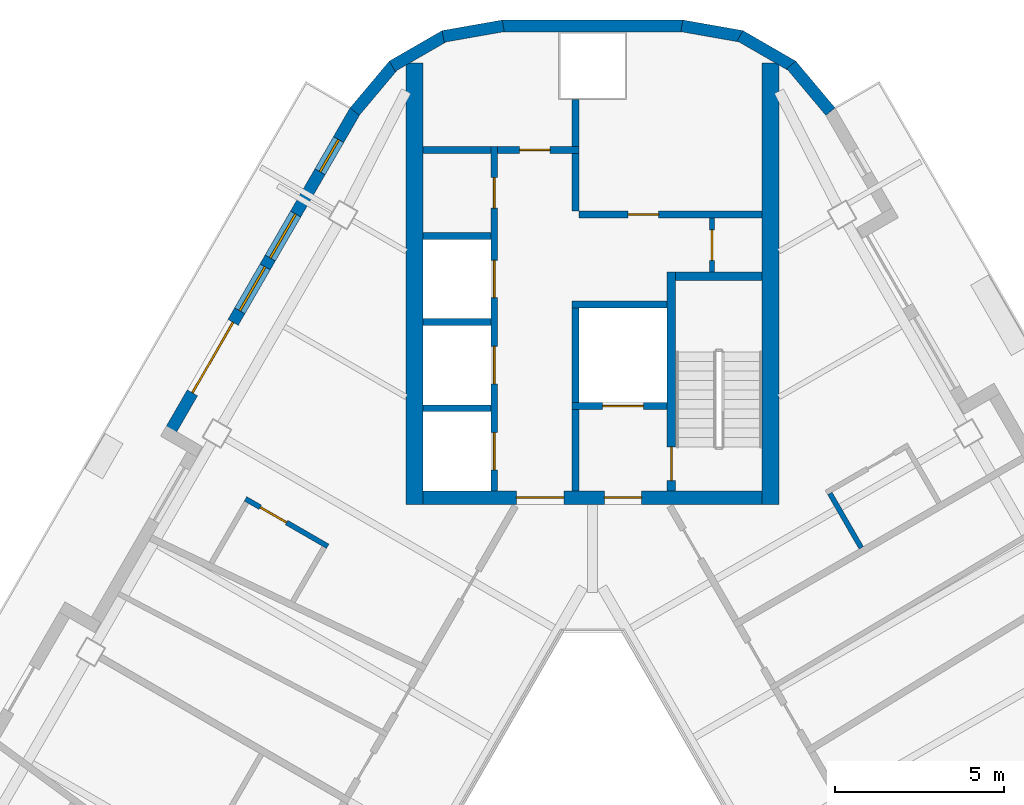
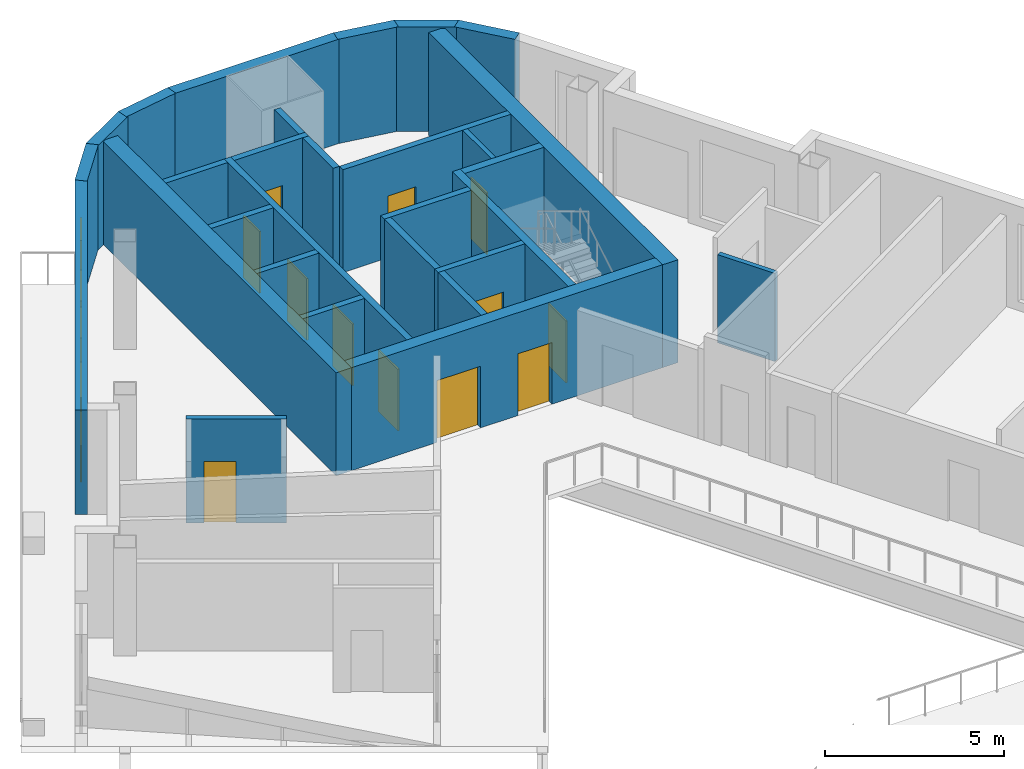
# One storey, part 7 of 13: 29 walls, 13 doors, 3 windows, 16 openings.
"""IFC4 building model written with IfcOpenShell, lengths in metres."""

from ifc_helpers import new_model, si_unit, direction, frame, frame_2d, origin, place, context, subcontext, project, spatial, rectangle, extrude, material, layer, layer_set, type_object, element, fill, save


model = new_model("IFC4")

# Units and contexts
model_context = context("Model", 3, precision=1e-05, world=origin(), true_north=direction((0.0, 1.0)))
body_context = subcontext(model_context, "Body", "Model", "MODEL_VIEW")
ifc_project = project(units=[si_unit("LENGTHUNIT", "METRE"), si_unit("AREAUNIT", "SQUARE_METRE"), si_unit("VOLUMEUNIT", "CUBIC_METRE"), si_unit("PLANEANGLEUNIT", "RADIAN"), si_unit("MASSUNIT", "GRAM", prefix="KILO")], contexts=[model_context])

# Site, building, storey
site_placement = place(None, origin())
site = spatial("IfcSite", under=ifc_project, at=site_placement, CompositionType="ELEMENT")
building_placement = place(site_placement, origin())
building = spatial("IfcBuilding", under=site, at=building_placement, Name="Apuvela Tower Hotel", CompositionType="ELEMENT")
storey_placement = place(building_placement, frame((0.0, 0.0, 272.60009765625)))
storey = spatial("IfcBuildingStorey", under=building, at=storey_placement, Name="L67", CompositionType="ELEMENT", Elevation=272.60009765625)

# Wall, openings, doors
ifc_material_1 = material(Name="Concrete C50/60", Category="concrete")
ifc_layer_1 = layer(ifc_material_1, 0.39990234375)
ifc_layer_set_1 = layer_set([ifc_layer_1], Name="COR-WALL-CORE-400")
wall_type_1 = type_object("IfcWallType", Name="COR-WALL-CORE-400", PredefinedType="SHEAR", material=ifc_layer_set_1)
wall_1_placement = place(storey_placement, frame((5.0, 13.10009765625, 0.0), z_axis=(0.0, 0.0, 1.0), x_axis=(-1.0, 0.0, 0.0)))
wall_1 = element("IfcWall", 1, at=wall_1_placement, inside=storey, type_object=wall_type_1, Name="Core wall N", PredefinedType="SHEAR", context=body_context, shape_type="SweptSolid", body=[
    extrude(rectangle(XDim=10.0, YDim=0.39990234375, at=frame_2d((5.0, 0.0))), origin(), (0.0, 0.0, 1.0), 3.5),
])
opening_1_placement = place(wall_1_placement, frame((3.550048828125, 0.0, 0.0)))
opening_1 = element("IfcOpeningElement", 2, at=opening_1_placement, cuts=wall_1, Name="Opening N-FD", PredefinedType="OPENING", context=body_context, shape_type="SweptSolid", body=[
    extrude(rectangle(XDim=1.10009765625, YDim=2.10009765625, at=frame_2d((0.550048828125, 1.050048828125))), frame((0.0, 0.2099609375, 0.0), z_axis=(0.0, -1.0, 0.0), x_axis=(1.0, 0.0, 0.0)), (0.0, 0.0, 1.0), 0.419921875),
])
opening_2_placement = place(wall_1_placement, frame((5.85009765625, 0.0, 0.0)))
opening_2 = element("IfcOpeningElement", 3, at=opening_2_placement, cuts=wall_1, Name="Opening N-GD", PredefinedType="OPENING", context=body_context, shape_type="SweptSolid", body=[
    extrude(rectangle(XDim=1.39990234375, YDim=2.10009765625, at=frame_2d((0.699951171875, 1.050048828125))), frame((0.0, 0.2099609375, 0.0), z_axis=(0.0, -1.0, 0.0), x_axis=(1.0, 0.0, 0.0)), (0.0, 0.0, 1.0), 0.419921875),
])
ifc_material_2 = material(Name="Steel fire door, powder coated", Category="steel")
door_type_1 = type_object("IfcDoorType", Name="COR-FD-1100", OperationType="NOTDEFINED", PredefinedType="DOOR", material=ifc_material_2)
door_1_placement = place(opening_1_placement, frame((1.10009765625, 0.0, 0.0), z_axis=(0.0, 0.0, 1.0), x_axis=(-1.0, 0.0, 0.0)))
door_1 = element("IfcDoor", 4, at=door_1_placement, inside=storey, type_object=door_type_1, Name="Firefighting lobby door N-FD", OperationType="SINGLE_SWING_LEFT", OverallHeight=2.10009765625, OverallWidth=1.10009765625, PredefinedType="DOOR", context=body_context, shape_type="SweptSolid", body=[
    extrude(rectangle(XDim=1.10009765625, YDim=2.10009765625, at=frame_2d((0.550048828125, 1.050048828125))), frame((0.0, 0.02490234375, 0.0), z_axis=(0.0, -1.0, 0.0), x_axis=(1.0, 0.0, 0.0)), (0.0, 0.0, 1.0), 0.050048828125),
])
fill(opening_1, door_1)
ifc_material_3 = material(Name="Glazed steel fire door", Category="steel")
door_type_2 = type_object("IfcDoorType", Name="COR-GD-1400", OperationType="DOUBLE_DOOR_SINGLE_SWING", PredefinedType="DOOR", material=ifc_material_3)
door_2_placement = place(opening_2_placement, frame((1.39990234375, 0.0, 0.0), z_axis=(0.0, 0.0, 1.0), x_axis=(-1.0, 0.0, 0.0)))
door_2 = element("IfcDoor", 5, at=door_2_placement, inside=storey, type_object=door_type_2, Name="Lift lobby door N-GD", OperationType="DOUBLE_DOOR_SINGLE_SWING", OverallHeight=2.10009765625, OverallWidth=1.39990234375, PredefinedType="DOOR", context=body_context, shape_type="SweptSolid", body=[
    extrude(rectangle(XDim=1.39990234375, YDim=2.10009765625, at=frame_2d((0.699951171875, 1.050048828125))), frame((0.0, 0.02490234375, 0.0), z_axis=(0.0, -1.0, 0.0), x_axis=(1.0, 0.0, 0.0)), (0.0, 0.0, 1.0), 0.050048828125),
])
fill(opening_2, door_2)

# Walls
ifc_layer_2 = layer(ifc_material_1, 0.5)
ifc_layer_set_2 = layer_set([ifc_layer_2], Name="COR-WALL-CORE-500")
wall_type_2 = type_object("IfcWallType", Name="COR-WALL-CORE-500", PredefinedType="SHEAR", material=ifc_layer_set_2)
for number, where, z_axis, x_axis, name in (
    (6, (5.25, 12.89990234375, 0.0), (0.0, 0.0, 1.0), (0.0, 1.0, 0.0), "Core wall N"),
    (7, (-5.25, 12.89990234375, 0.0), (0.0, 0.0, 1.0), (0.0, 1.0, 0.0), "Core wall N"),
):
    element("IfcWall", number, at=place(storey_placement, frame(where, z_axis=z_axis, x_axis=x_axis)), inside=storey, type_object=wall_type_2, Name=name, PredefinedType="SHEAR", context=body_context, shape_type="SweptSolid", body=[
        extrude(rectangle(XDim=13.031494140625, YDim=0.5, at=frame_2d((6.515625, 0.0))), origin(), (0.0, 0.0, 1.0), 3.5),
    ])

# Wall, opening, door
ifc_material_4 = material(Name="Blockwork 150 mm plastered", Category="masonry")
ifc_layer_3 = layer(ifc_material_4, 0.14990234375)
ifc_layer_set_3 = layer_set([ifc_layer_3], Name="COR-WALL-PART-150")
wall_type_3 = type_object("IfcWallType", Name="COR-WALL-PART-150", PredefinedType="PARTITIONING", material=ifc_layer_set_3)
wall_2_placement = place(storey_placement, frame((3.52490234375, 19.75, 0.0), z_axis=(0.0, 0.0, 1.0), x_axis=(0.0, 1.0, 0.0)))
wall_2 = element("IfcWall", 8, at=wall_2_placement, inside=storey, type_object=wall_type_3, Name="Partition N", PredefinedType="PARTITIONING", context=body_context, shape_type="SweptSolid", body=[
    extrude(rectangle(XDim=1.60009765625, YDim=0.14990234375, at=frame_2d((0.800048828125, 0.0))), origin(), (0.0, 0.0, 1.0), 3.5),
])
opening_3_placement = place(wall_2_placement, frame((0.35009765625, 0.0, 0.0)))
opening_3 = element("IfcOpeningElement", 9, at=opening_3_placement, cuts=wall_2, Name="Opening N-RD", PredefinedType="OPENING", context=body_context, shape_type="SweptSolid", body=[
    extrude(rectangle(XDim=0.89990234375, YDim=2.10009765625, at=frame_2d((0.449951171875, 1.050048828125))), frame((0.0, 0.0849609375, 0.0), z_axis=(0.0, -1.0, 0.0), x_axis=(1.0, 0.0, 0.0)), (0.0, 0.0, 1.0), 0.169921875),
])
ifc_material_5 = material(Name="Steel access door, powder coated", Category="steel")
door_type_3 = type_object("IfcDoorType", Name="COR-RD-900", OperationType="NOTDEFINED", PredefinedType="DOOR", material=ifc_material_5)
door_3_placement = place(opening_3_placement, frame((0.89990234375, 0.0, 0.0), z_axis=(0.0, 0.0, 1.0), x_axis=(-1.0, 0.0, 0.0)))
door_3 = element("IfcDoor", 10, at=door_3_placement, inside=storey, type_object=door_type_3, Name="Riser door N-RD", OperationType="SINGLE_SWING_RIGHT", OverallHeight=2.10009765625, OverallWidth=0.89990234375, PredefinedType="DOOR", context=body_context, shape_type="SweptSolid", body=[
    extrude(rectangle(XDim=0.89990234375, YDim=2.10009765625, at=frame_2d((0.449951171875, 1.050048828125))), frame((0.0, 0.02490234375, 0.0), z_axis=(0.0, -1.0, 0.0), x_axis=(1.0, 0.0, 0.0)), (0.0, 0.0, 1.0), 0.050048828125),
])
fill(opening_3, door_3)

ifc_material_6 = material(Name="Blockwork 200 mm plastered", Category="masonry")
ifc_layer_4 = layer(ifc_material_6, 0.199951171875)
ifc_layer_set_4 = layer_set([ifc_layer_4], Name="COR-WALL-PART-200")
wall_type_4 = type_object("IfcWallType", Name="COR-WALL-PART-200", PredefinedType="PARTITIONING", material=ifc_layer_set_4)
wall_3_placement = place(storey_placement, frame((5.0, 21.449951171875, 0.0), z_axis=(0.0, 0.0, 1.0), x_axis=(-1.0, 0.0, 0.0)))
wall_3 = element("IfcWall", 11, at=wall_3_placement, inside=storey, type_object=wall_type_4, Name="Partition N", PredefinedType="PARTITIONING", context=body_context, shape_type="SweptSolid", body=[
    extrude(rectangle(XDim=5.39990234375, YDim=0.199951171875, at=frame_2d((2.699951171875, 0.0))), origin(), (0.0, 0.0, 1.0), 3.5),
])
opening_4_placement = place(wall_3_placement, frame((3.050048828125, 0.0, 0.0)))
opening_4 = element("IfcOpeningElement", 12, at=opening_4_placement, cuts=wall_3, Name="Opening N-RS1", PredefinedType="OPENING", context=body_context, shape_type="SweptSolid", body=[
    extrude(rectangle(XDim=0.89990234375, YDim=2.10009765625, at=frame_2d((0.449951171875, 1.050048828125))), frame((0.0, 0.10986328125, 0.0), z_axis=(0.0, -1.0, 0.0), x_axis=(1.0, 0.0, 0.0)), (0.0, 0.0, 1.0), 0.219970703125),
])
door_type_4 = type_object("IfcDoorType", Name="COR-DR-900", OperationType="NOTDEFINED", PredefinedType="DOOR", material=ifc_material_2)
door_4_placement = place(opening_4_placement, frame((0.89990234375, 0.0, 0.0), z_axis=(0.0, 0.0, 1.0), x_axis=(-1.0, 0.0, 0.0)))
door_4 = element("IfcDoor", 13, at=door_4_placement, inside=storey, type_object=door_type_4, Name="Store door N-RS1", OperationType="SINGLE_SWING_LEFT", OverallHeight=2.10009765625, OverallWidth=0.89990234375, PredefinedType="DOOR", context=body_context, shape_type="SweptSolid", body=[
    extrude(rectangle(XDim=0.89990234375, YDim=2.10009765625, at=frame_2d((0.449951171875, 1.050048828125))), frame((0.0, 0.02490234375, 0.0), z_axis=(0.0, -1.0, 0.0), x_axis=(1.0, 0.0, 0.0)), (0.0, 0.0, 1.0), 0.050048828125),
])
fill(opening_4, door_4)

# Wall
ifc_layer_5 = layer(ifc_material_1, 0.199951171875)
ifc_layer_set_5 = layer_set([ifc_layer_5], Name="COR-WALL-SHAFT-200")
wall_type_5 = type_object("IfcWallType", Name="COR-WALL-SHAFT-200", PredefinedType="SHEAR", material=ifc_layer_set_5)
wall_4_placement = place(storey_placement, frame((2.199951171875, 18.800048828125, 0.0), z_axis=(0.0, 0.0, 1.0), x_axis=(-1.0, 0.0, 0.0)))
element("IfcWall", 14, at=wall_4_placement, inside=storey, type_object=wall_type_5, Name="Shaft wall N", PredefinedType="SHEAR", context=body_context, shape_type="SweptSolid", body=[
    extrude(rectangle(XDim=2.800048828125, YDim=0.199951171875, at=frame_2d((1.39990234375, 0.0))), origin(), (0.0, 0.0, 1.0), 3.5),
])

# Wall, opening, door
wall_5_placement = place(storey_placement, frame((2.199951171875, 15.800048828125, 0.0), z_axis=(0.0, 0.0, 1.0), x_axis=(-1.0, 0.0, 0.0)))
wall_5 = element("IfcWall", 15, at=wall_5_placement, inside=storey, type_object=wall_type_5, Name="Shaft wall N", PredefinedType="SHEAR", context=body_context, shape_type="SweptSolid", body=[
    extrude(rectangle(XDim=2.800048828125, YDim=0.199951171875, at=frame_2d((1.39990234375, 0.0))), origin(), (0.0, 0.0, 1.0), 3.5),
])
opening_5_placement = place(wall_5_placement, frame((0.699951171875, 0.0, 0.0)))
opening_5 = element("IfcOpeningElement", 16, at=opening_5_placement, cuts=wall_5, Name="Opening N-LD-FS1", PredefinedType="OPENING", context=body_context, shape_type="SweptSolid", body=[
    extrude(rectangle(XDim=1.199951171875, YDim=2.10009765625, at=frame_2d((0.60009765625, 1.050048828125))), frame((0.0, 0.10986328125, 0.0), z_axis=(0.0, -1.0, 0.0), x_axis=(1.0, 0.0, 0.0)), (0.0, 0.0, 1.0), 0.219970703125),
])
ifc_material_7 = material(Name="Stainless steel lift landing door", Category="steel")
door_type_5 = type_object("IfcDoorType", Name="COR-LD-1200", OperationType="DOUBLE_DOOR_SLIDING", PredefinedType="DOOR", material=ifc_material_7)
door_5_placement = place(opening_5_placement, origin())
door_5 = element("IfcDoor", 17, at=door_5_placement, inside=storey, type_object=door_type_5, Name="Lift landing door N-LD-FS1", OperationType="DOUBLE_DOOR_SLIDING", OverallHeight=2.10009765625, OverallWidth=1.199951171875, PredefinedType="DOOR", context=body_context, shape_type="SweptSolid", body=[
    extrude(rectangle(XDim=1.199951171875, YDim=2.10009765625, at=frame_2d((0.60009765625, 1.050048828125))), frame((0.0, 0.02490234375, 0.0), z_axis=(0.0, -1.0, 0.0), x_axis=(1.0, 0.0, 0.0)), (0.0, 0.0, 1.0), 0.050048828125),
])
fill(opening_5, door_5)

# Walls
wall_6_placement = place(storey_placement, frame((-0.5, 15.89990234375, 0.0), z_axis=(0.0, 0.0, 1.0), x_axis=(0.0, 1.0, 0.0)))
element("IfcWall", 18, at=wall_6_placement, inside=storey, type_object=wall_type_5, Name="Shaft wall N", PredefinedType="SHEAR", context=body_context, shape_type="SweptSolid", body=[
    extrude(rectangle(XDim=2.800048828125, YDim=0.199951171875, at=frame_2d((1.39990234375, 0.0))), origin(), (0.0, 0.0, 1.0), 3.5),
])
wall_7_placement = place(storey_placement, frame((-0.5, 13.300048828125, 0.0), z_axis=(0.0, 0.0, 1.0), x_axis=(0.0, 1.0, 0.0)))
element("IfcWall", 19, at=wall_7_placement, inside=storey, type_object=wall_type_5, Name="Shaft wall N", PredefinedType="SHEAR", context=body_context, shape_type="SweptSolid", body=[
    extrude(rectangle(XDim=2.39990234375, YDim=0.199951171875, at=frame_2d((1.199951171875, 0.0))), origin(), (0.0, 0.0, 1.0), 3.5),
])

# Wall, openings, doors
wall_8_placement = place(storey_placement, frame((-2.89990234375, 13.300048828125, 0.0), z_axis=(0.0, 0.0, 1.0), x_axis=(0.0, 1.0, 0.0)))
wall_8 = element("IfcWall", 20, at=wall_8_placement, inside=storey, type_object=wall_type_5, Name="Shaft wall N", PredefinedType="SHEAR", context=body_context, shape_type="SweptSolid", body=[
    extrude(rectangle(XDim=10.159912109375, YDim=0.199951171875, at=frame_2d((5.080078125, 0.0))), origin(), (0.0, 0.0, 1.0), 3.5),
])
opening_6_placement = place(wall_8_placement, frame((0.6201171875, 0.0, 0.0)))
opening_6 = element("IfcOpeningElement", 21, at=opening_6_placement, cuts=wall_8, Name="Opening N-LD-HR1", PredefinedType="OPENING", context=body_context, shape_type="SweptSolid", body=[
    extrude(rectangle(XDim=1.10009765625, YDim=2.10009765625, at=frame_2d((0.550048828125, 1.050048828125))), frame((0.0, 0.10986328125, 0.0), z_axis=(0.0, -1.0, 0.0), x_axis=(1.0, 0.0, 0.0)), (0.0, 0.0, 1.0), 0.219970703125),
])
opening_7_placement = place(wall_8_placement, frame((3.159912109375, 0.0, 0.0)))
opening_7 = element("IfcOpeningElement", 22, at=opening_7_placement, cuts=wall_8, Name="Opening N-LD-HR2", PredefinedType="OPENING", context=body_context, shape_type="SweptSolid", body=[
    extrude(rectangle(XDim=1.10009765625, YDim=2.10009765625, at=frame_2d((0.550048828125, 1.050048828125))), frame((0.0, 0.10986328125, 0.0), z_axis=(0.0, -1.0, 0.0), x_axis=(1.0, 0.0, 0.0)), (0.0, 0.0, 1.0), 0.219970703125),
])
opening_8_placement = place(wall_8_placement, frame((5.699951171875, 0.0, 0.0)))
opening_8 = element("IfcOpeningElement", 23, at=opening_8_placement, cuts=wall_8, Name="Opening N-LD-HR4", PredefinedType="OPENING", context=body_context, shape_type="SweptSolid", body=[
    extrude(rectangle(XDim=1.10009765625, YDim=2.10009765625, at=frame_2d((0.550048828125, 1.050048828125))), frame((0.0, 0.10986328125, 0.0), z_axis=(0.0, -1.0, 0.0), x_axis=(1.0, 0.0, 0.0)), (0.0, 0.0, 1.0), 0.219970703125),
])
opening_9_placement = place(wall_8_placement, frame((8.340087890625, 0.0, 0.0)))
opening_9 = element("IfcOpeningElement", 24, at=opening_9_placement, cuts=wall_8, Name="Opening N-RE4", PredefinedType="OPENING", context=body_context, shape_type="SweptSolid", body=[
    extrude(rectangle(XDim=0.89990234375, YDim=2.10009765625, at=frame_2d((0.449951171875, 1.050048828125))), frame((0.0, 0.10986328125, 0.0), z_axis=(0.0, -1.0, 0.0), x_axis=(1.0, 0.0, 0.0)), (0.0, 0.0, 1.0), 0.219970703125),
])
door_6_placement = place(opening_9_placement, origin())
door_6 = element("IfcDoor", 25, at=door_6_placement, inside=storey, type_object=door_type_4, Name="Store door N-RE4", OperationType="SINGLE_SWING_LEFT", OverallHeight=2.10009765625, OverallWidth=0.89990234375, PredefinedType="DOOR", context=body_context, shape_type="SweptSolid", body=[
    extrude(rectangle(XDim=0.89990234375, YDim=2.10009765625, at=frame_2d((0.449951171875, 1.050048828125))), frame((0.0, 0.02490234375, 0.0), z_axis=(0.0, -1.0, 0.0), x_axis=(1.0, 0.0, 0.0)), (0.0, 0.0, 1.0), 0.050048828125),
])
fill(opening_9, door_6)
door_type_6 = type_object("IfcDoorType", Name="COR-LD-1100", OperationType="DOUBLE_DOOR_SLIDING", PredefinedType="DOOR", material=ifc_material_7)
door_7_placement = place(opening_6_placement, origin())
door_7 = element("IfcDoor", 26, at=door_7_placement, inside=storey, type_object=door_type_6, Name="Lift landing door N-LD-HR1", OperationType="DOUBLE_DOOR_SLIDING", OverallHeight=2.10009765625, OverallWidth=1.10009765625, PredefinedType="DOOR", context=body_context, shape_type="SweptSolid", body=[
    extrude(rectangle(XDim=1.10009765625, YDim=2.10009765625, at=frame_2d((0.550048828125, 1.050048828125))), frame((0.0, 0.02490234375, 0.0), z_axis=(0.0, -1.0, 0.0), x_axis=(1.0, 0.0, 0.0)), (0.0, 0.0, 1.0), 0.050048828125),
])
fill(opening_6, door_7)
door_8_placement = place(opening_7_placement, origin())
door_8 = element("IfcDoor", 27, at=door_8_placement, inside=storey, type_object=door_type_6, Name="Lift landing door N-LD-HR2", OperationType="DOUBLE_DOOR_SLIDING", OverallHeight=2.10009765625, OverallWidth=1.10009765625, PredefinedType="DOOR", context=body_context, shape_type="SweptSolid", body=[
    extrude(rectangle(XDim=1.10009765625, YDim=2.10009765625, at=frame_2d((0.550048828125, 1.050048828125))), frame((0.0, 0.02490234375, 0.0), z_axis=(0.0, -1.0, 0.0), x_axis=(1.0, 0.0, 0.0)), (0.0, 0.0, 1.0), 0.050048828125),
])
fill(opening_7, door_8)
door_9_placement = place(opening_8_placement, origin())
door_9 = element("IfcDoor", 28, at=door_9_placement, inside=storey, type_object=door_type_6, Name="Lift landing door N-LD-HR4", OperationType="DOUBLE_DOOR_SLIDING", OverallHeight=2.10009765625, OverallWidth=1.10009765625, PredefinedType="DOOR", context=body_context, shape_type="SweptSolid", body=[
    extrude(rectangle(XDim=1.10009765625, YDim=2.10009765625, at=frame_2d((0.550048828125, 1.050048828125))), frame((0.0, 0.02490234375, 0.0), z_axis=(0.0, -1.0, 0.0), x_axis=(1.0, 0.0, 0.0)), (0.0, 0.0, 1.0), 0.050048828125),
])
fill(opening_8, door_9)

# Wall, opening, door
wall_9_placement = place(storey_placement, frame((-0.39990234375, 23.360107421875, 0.0), z_axis=(0.0, 0.0, 1.0), x_axis=(-1.0, 0.0, 0.0)))
wall_9 = element("IfcWall", 29, at=wall_9_placement, inside=storey, type_object=wall_type_5, Name="Shaft wall N", PredefinedType="SHEAR", context=body_context, shape_type="SweptSolid", body=[
    extrude(rectangle(XDim=2.400146484375, YDim=0.199951171875, at=frame_2d((1.2001953125, 0.0))), origin(), (0.0, 0.0, 1.0), 3.5),
])
opening_10_placement = place(wall_9_placement, frame((0.85009765625, 0.0, 0.0)))
opening_10 = element("IfcOpeningElement", 30, at=opening_10_placement, cuts=wall_9, Name="Opening N-REP", PredefinedType="OPENING", context=body_context, shape_type="SweptSolid", body=[
    extrude(rectangle(XDim=0.89990234375, YDim=2.10009765625, at=frame_2d((0.449951171875, 1.050048828125))), frame((0.0, 0.10986328125, 0.0), z_axis=(0.0, -1.0, 0.0), x_axis=(1.0, 0.0, 0.0)), (0.0, 0.0, 1.0), 0.219970703125),
])
door_10_placement = place(opening_10_placement, frame((0.89990234375, 0.0, 0.0), z_axis=(0.0, 0.0, 1.0), x_axis=(-1.0, 0.0, 0.0)))
door_10 = element("IfcDoor", 31, at=door_10_placement, inside=storey, type_object=door_type_4, Name="Store door N-REP", OperationType="SINGLE_SWING_LEFT", OverallHeight=2.10009765625, OverallWidth=0.89990234375, PredefinedType="DOOR", context=body_context, shape_type="SweptSolid", body=[
    extrude(rectangle(XDim=0.89990234375, YDim=2.10009765625, at=frame_2d((0.449951171875, 1.050048828125))), frame((0.0, 0.02490234375, 0.0), z_axis=(0.0, -1.0, 0.0), x_axis=(1.0, 0.0, 0.0)), (0.0, 0.0, 1.0), 0.050048828125),
])
fill(opening_10, door_10)

# Walls
wall_10_placement = place(storey_placement, frame((-0.5, 21.550048828125, 0.0), z_axis=(0.0, 0.0, 1.0), x_axis=(0.0, 1.0, 0.0)))
element("IfcWall", 32, at=wall_10_placement, inside=storey, type_object=wall_type_5, Name="Shaft wall N", PredefinedType="SHEAR", context=body_context, shape_type="SweptSolid", body=[
    extrude(rectangle(XDim=1.7099609375, YDim=0.199951171875, at=frame_2d((0.85498046875, 0.0))), origin(), (0.0, 0.0, 1.0), 3.5),
])
for number, where, z_axis, x_axis, name in (
    (33, (-3.0, 15.739990234375, 0.0), (0.0, 0.0, 1.0), (-1.0, 0.0, 0.0), "Shaft wall N"),
    (34, (-3.0, 18.280029296875, 0.0), (0.0, 0.0, 1.0), (-1.0, 0.0, 0.0), "Shaft wall N"),
    (35, (-3.0, 20.820068359375, 0.0), (0.0, 0.0, 1.0), (-1.0, 0.0, 0.0), "Shaft wall N"),
    (36, (-3.0, 23.360107421875, 0.0), (0.0, 0.0, 1.0), (-1.0, 0.0, 0.0), "Shaft wall N"),
):
    element("IfcWall", number, at=place(storey_placement, frame(where, z_axis=z_axis, x_axis=x_axis)), inside=storey, type_object=wall_type_5, Name=name, PredefinedType="SHEAR", context=body_context, shape_type="SweptSolid", body=[
        extrude(rectangle(XDim=2.0, YDim=0.199951171875, at=frame_2d((1.0, 0.0))), origin(), (0.0, 0.0, 1.0), 3.5),
    ])
wall_11_placement = place(storey_placement, frame((-0.5, 23.4599609375, 0.0), z_axis=(0.0, 0.0, 1.0), x_axis=(0.0, 1.0, 0.0)))
element("IfcWall", 37, at=wall_11_placement, inside=storey, type_object=wall_type_5, Name="Shaft wall N", PredefinedType="SHEAR", context=body_context, shape_type="SweptSolid", body=[
    extrude(rectangle(XDim=1.382568359375, YDim=0.199951171875, at=frame_2d((0.69140625, 0.0))), origin(), (0.0, 0.0, 1.0), 3.5),
])

# Wall, opening, door
ifc_layer_6 = layer(ifc_material_1, 0.25)
ifc_layer_set_6 = layer_set([ifc_layer_6], Name="COR-WALL-STAIR-250")
wall_type_6 = type_object("IfcWallType", Name="COR-WALL-STAIR-250", PredefinedType="SHEAR", material=ifc_layer_set_6)
wall_12_placement = place(storey_placement, frame((2.324951171875, 13.300048828125, 0.0), z_axis=(0.0, 0.0, 1.0), x_axis=(0.0, 1.0, 0.0)))
wall_12 = element("IfcWall", 38, at=wall_12_placement, inside=storey, type_object=wall_type_6, Name="Stair wall N", PredefinedType="SHEAR", context=body_context, shape_type="SweptSolid", body=[
    extrude(rectangle(XDim=6.449951171875, YDim=0.25, at=frame_2d((3.22509765625, 0.0))), origin(), (0.0, 0.0, 1.0), 3.5),
])
opening_11_placement = place(wall_12_placement, frame((0.300048828125, 0.0, 0.0)))
opening_11 = element("IfcOpeningElement", 39, at=opening_11_placement, cuts=wall_12, Name="Opening N-SD", PredefinedType="OPENING", context=body_context, shape_type="SweptSolid", body=[
    extrude(rectangle(XDim=1.0, YDim=2.10009765625, at=frame_2d((0.5, 1.050048828125))), frame((0.0, 0.135009765625, 0.0), z_axis=(0.0, -1.0, 0.0), x_axis=(1.0, 0.0, 0.0)), (0.0, 0.0, 1.0), 0.27001953125),
])
door_type_7 = type_object("IfcDoorType", Name="COR-SD-1000", OperationType="NOTDEFINED", PredefinedType="DOOR", material=ifc_material_2)
door_11_placement = place(opening_11_placement, frame((1.0, 0.0, 0.0), z_axis=(0.0, 0.0, 1.0), x_axis=(-1.0, 0.0, 0.0)))
door_11 = element("IfcDoor", 40, at=door_11_placement, inside=storey, type_object=door_type_7, Name="Stair door N-SD", OperationType="SINGLE_SWING_LEFT", OverallHeight=2.10009765625, OverallWidth=1.0, PredefinedType="DOOR", context=body_context, shape_type="SweptSolid", body=[
    extrude(rectangle(XDim=1.0, YDim=2.10009765625, at=frame_2d((0.5, 1.050048828125))), frame((0.0, 0.02490234375, 0.0), z_axis=(0.0, -1.0, 0.0), x_axis=(1.0, 0.0, 0.0)), (0.0, 0.0, 1.0), 0.050048828125),
])
fill(opening_11, door_11)

# Wall
wall_13_placement = place(storey_placement, frame((5.0, 19.625, 0.0), z_axis=(0.0, 0.0, 1.0), x_axis=(-1.0, 0.0, 0.0)))
element("IfcWall", 41, at=wall_13_placement, inside=storey, type_object=wall_type_6, Name="Stair wall N", PredefinedType="SHEAR", context=body_context, shape_type="SweptSolid", body=[
    extrude(rectangle(XDim=2.550048828125, YDim=0.25, at=frame_2d((1.27490234375, 0.0))), origin(), (0.0, 0.0, 1.0), 3.5),
])

# Wall, openings, door, windows
ifc_material_8 = material(Name="Concrete C40/50, dark pigmented precast panel", Category="concrete")
ifc_layer_7 = layer(ifc_material_8, 0.35009765625)
ifc_layer_set_7 = layer_set([ifc_layer_7], Name="ENV-WALL-350")
wall_type_7 = type_object("IfcWallType", Name="ENV-WALL-350", PredefinedType="SOLIDWALL", material=ifc_layer_set_7)
wall_14_placement = place(storey_placement, frame((-7.001953125, 24.513916015625, 0.0), z_axis=(0.0, 0.0, 1.0), x_axis=(-0.500000830309, -0.866024924405, 0.0)))
wall_14 = element("IfcWall", 42, at=wall_14_placement, inside=storey, type_object=wall_type_7, Name="External wall L67-01", PredefinedType="SOLIDWALL", context=body_context, shape_type="SweptSolid", body=[
    extrude(rectangle(XDim=11.18505859375, YDim=0.35009765625, at=frame_2d((5.592529296875, 0.0))), origin(), (0.0, 0.0, 1.0), 3.5498046875),
])
opening_12_placement = place(wall_14_placement, frame((0.97900390625, 0.0, 0.300048828125)))
opening_12 = element("IfcOpeningElement", 43, at=opening_12_placement, cuts=wall_14, Name="Opening WN11", PredefinedType="OPENING", context=body_context, shape_type="SweptSolid", body=[
    extrude(rectangle(XDim=1.10009765625, YDim=2.64990234375, at=frame_2d((0.550048828125, 1.324951171875))), frame((0.0, 0.18505859375, 0.0), z_axis=(0.0, -1.0, 0.0), x_axis=(1.0, 0.0, 0.0)), (0.0, 0.0, 1.0), 0.3701171875),
])
opening_13_placement = place(wall_14_placement, frame((7.209716796875, 0.0, 0.0)))
opening_13 = element("IfcOpeningElement", 44, at=opening_13_placement, cuts=wall_14, Name="Opening BD24", PredefinedType="OPENING", context=body_context, shape_type="SweptSolid", body=[
    extrude(rectangle(XDim=2.39990234375, YDim=2.39990234375, at=frame_2d((1.199951171875, 1.199951171875))), frame((0.0, 0.18505859375, 0.0), z_axis=(0.0, -1.0, 0.0), x_axis=(1.0, 0.0, 0.0)), (0.0, 0.0, 1.0), 0.3701171875),
])
opening_14_placement = place(wall_14_placement, frame((3.5166015625, 0.0, 0.300048828125)))
opening_14 = element("IfcOpeningElement", 45, at=opening_14_placement, cuts=wall_14, Name="Opening WN15", PredefinedType="OPENING", context=body_context, shape_type="SweptSolid", body=[
    extrude(rectangle(XDim=1.5, YDim=2.64990234375, at=frame_2d((0.75, 1.324951171875))), frame((0.0, 0.18505859375, 0.0), z_axis=(0.0, -1.0, 0.0), x_axis=(1.0, 0.0, 0.0)), (0.0, 0.0, 1.0), 0.3701171875),
])
opening_15_placement = place(wall_14_placement, frame((5.31640625, 0.0, 0.300048828125)))
opening_15 = element("IfcOpeningElement", 46, at=opening_15_placement, cuts=wall_14, Name="Opening WN15", PredefinedType="OPENING", context=body_context, shape_type="SweptSolid", body=[
    extrude(rectangle(XDim=1.5, YDim=2.64990234375, at=frame_2d((0.75, 1.324951171875))), frame((0.0, 0.18505859375, 0.0), z_axis=(0.0, -1.0, 0.0), x_axis=(1.0, 0.0, 0.0)), (0.0, 0.0, 1.0), 0.3701171875),
])
ifc_material_9 = material(Name="Aluminium 6063-T6, dark bronze anodised frame with dark tinted laminated glass", Category="aluminium")
door_type_8 = type_object("IfcDoorType", Name="ENV-DOOR-BALCONY-2400x2400", OperationType="SLIDING_TO_LEFT", PredefinedType="DOOR", material=ifc_material_9)
door_12_placement = place(opening_13_placement, frame((2.39990234375, 0.0, 0.0), z_axis=(0.0, 0.0, 1.0), x_axis=(-1.0, 0.0, 0.0)))
door_12 = element("IfcDoor", 47, at=door_12_placement, inside=storey, type_object=door_type_8, Name="Balcony door BD24", OperationType="SLIDING_TO_LEFT", OverallHeight=2.39990234375, OverallWidth=2.39990234375, PredefinedType="DOOR", context=body_context, shape_type="SweptSolid", body=[
    extrude(rectangle(XDim=2.39990234375, YDim=2.39990234375, at=frame_2d((1.199951171875, 1.199951171875))), frame((0.0, 0.02490234375, 0.0), z_axis=(0.0, -1.0, 0.0), x_axis=(1.0, 0.0, 0.0)), (0.0, 0.0, 1.0), 0.050048828125),
])
fill(opening_13, door_12)
ifc_material_10 = material(Name="Glass, dark tinted laminated insulated glazing unit", Category="glass")
window_type_1 = type_object("IfcWindowType", Name="ENV-WIN-1100x2650", PartitioningType="SINGLE_PANEL", PredefinedType="WINDOW", material=ifc_material_10)
window_1_placement = place(opening_12_placement, origin())
window_1 = element("IfcWindow", 48, at=window_1_placement, inside=storey, type_object=window_type_1, Name="Window WN11", OverallHeight=2.64990234375, OverallWidth=1.10009765625, PartitioningType="SINGLE_PANEL", PredefinedType="WINDOW", context=body_context, shape_type="SweptSolid", body=[
    extrude(rectangle(XDim=1.10009765625, YDim=2.64990234375, at=frame_2d((0.550048828125, 1.324951171875))), frame((0.0, 0.030029296875, 0.0), z_axis=(0.0, -1.0, 0.0), x_axis=(1.0, 0.0, 0.0)), (0.0, 0.0, 1.0), 0.06005859375),
])
fill(opening_12, window_1)
window_type_2 = type_object("IfcWindowType", Name="ENV-WIN-1500x2650", PartitioningType="SINGLE_PANEL", PredefinedType="WINDOW", material=ifc_material_10)
window_2_placement = place(opening_14_placement, origin())
window_2 = element("IfcWindow", 49, at=window_2_placement, inside=storey, type_object=window_type_2, Name="Window WN15", OverallHeight=2.64990234375, OverallWidth=1.5, PartitioningType="SINGLE_PANEL", PredefinedType="WINDOW", context=body_context, shape_type="SweptSolid", body=[
    extrude(rectangle(XDim=1.5, YDim=2.64990234375, at=frame_2d((0.75, 1.324951171875))), frame((0.0, 0.030029296875, 0.0), z_axis=(0.0, -1.0, 0.0), x_axis=(1.0, 0.0, 0.0)), (0.0, 0.0, 1.0), 0.06005859375),
])
fill(opening_14, window_2)
window_3_placement = place(opening_15_placement, origin())
window_3 = element("IfcWindow", 50, at=window_3_placement, inside=storey, type_object=window_type_2, Name="Window WN15", OverallHeight=2.64990234375, OverallWidth=1.5, PartitioningType="SINGLE_PANEL", PredefinedType="WINDOW", context=body_context, shape_type="SweptSolid", body=[
    extrude(rectangle(XDim=1.5, YDim=2.64990234375, at=frame_2d((0.75, 1.324951171875))), frame((0.0, 0.030029296875, 0.0), z_axis=(0.0, -1.0, 0.0), x_axis=(1.0, 0.0, 0.0)), (0.0, 0.0, 1.0), 0.06005859375),
])
fill(opening_15, window_3)

# Walls
wall_15_placement = place(storey_placement, frame((7.019287109375, 24.489013671875, 0.0), z_axis=(0.0, 0.0, 1.0), x_axis=(-0.642756114672, 0.766070869471, 0.0)))
element("IfcWall", 51, at=wall_15_placement, inside=storey, type_object=wall_type_7, Name="External wall L67-42", PredefinedType="SOLIDWALL", context=body_context, shape_type="SweptSolid", body=[
    extrude(rectangle(XDim=1.799560546875, YDim=0.35009765625, at=frame_2d((0.89990234375, 0.0))), origin(), (0.0, 0.0, 1.0), 3.5498046875),
])
for number, where, z_axis, x_axis, name in (
    (52, (5.9091796875, 25.82861328125, 0.0), (0.0, 0.0, 1.0), (-0.866013897511, 0.50001992892, 0.0), "External wall L67-43"),
    (53, (4.40771484375, 26.70751953125, 0.0), (0.0, 0.0, 1.0), (-0.984787655226, 0.173762119331, 0.0), "External wall L67-44"),
):
    element("IfcWall", number, at=place(storey_placement, frame(where, z_axis=z_axis, x_axis=x_axis)), inside=storey, type_object=wall_type_7, Name=name, PredefinedType="SOLIDWALL", context=body_context, shape_type="SweptSolid", body=[
        extrude(rectangle(XDim=1.7998046875, YDim=0.35009765625, at=frame_2d((0.89990234375, 0.0))), origin(), (0.0, 0.0, 1.0), 3.5498046875),
    ])
wall_16_placement = place(storey_placement, frame((2.66552734375, 27.017578125, 0.0), z_axis=(0.0, 0.0, 1.0), x_axis=(-1.0, 0.0, 0.0)))
element("IfcWall", 54, at=wall_16_placement, inside=storey, type_object=wall_type_7, Name="External wall L67-45", PredefinedType="SOLIDWALL", context=body_context, shape_type="SweptSolid", body=[
    extrude(rectangle(XDim=5.3310546875, YDim=0.35009765625, at=frame_2d((2.66552734375, 0.0))), origin(), (0.0, 0.0, 1.0), 3.5498046875),
])
for number, where, z_axis, x_axis, name in (
    (55, (-2.63525390625, 27.020263671875, 0.0), (0.0, 0.0, 1.0), (-0.984787655226, -0.173762119331, 0.0), "External wall L67-46"),
    (56, (-4.3505859375, 26.728515625, 0.0), (0.0, 0.0, 1.0), (-0.866013897511, -0.50001992892, 0.0), "External wall L67-47"),
):
    element("IfcWall", number, at=place(storey_placement, frame(where, z_axis=z_axis, x_axis=x_axis)), inside=storey, type_object=wall_type_7, Name=name, PredefinedType="SOLIDWALL", context=body_context, shape_type="SweptSolid", body=[
        extrude(rectangle(XDim=1.7998046875, YDim=0.35009765625, at=frame_2d((0.89990234375, 0.0))), origin(), (0.0, 0.0, 1.0), 3.5498046875),
    ])
wall_17_placement = place(storey_placement, frame((-5.862548828125, 25.86767578125, 0.0), z_axis=(0.0, 0.0, 1.0), x_axis=(-0.642756114672, -0.766070869471, 0.0)))
element("IfcWall", 57, at=wall_17_placement, inside=storey, type_object=wall_type_7, Name="External wall L67-48", PredefinedType="SOLIDWALL", context=body_context, shape_type="SweptSolid", body=[
    extrude(rectangle(XDim=1.799560546875, YDim=0.35009765625, at=frame_2d((0.89990234375, 0.0))), origin(), (0.0, 0.0, 1.0), 3.5498046875),
])
ifc_material_11 = material(Name="Moisture-resistant gypsum board wet wall on steel stud", Category="steel")
ifc_layer_8 = layer(ifc_material_11, 0.14990234375)
ifc_layer_set_8 = layer_set([ifc_layer_8], Name="GST-PW3")
wall_type_8 = type_object("IfcWallType", Name="GST-PW3", PredefinedType="PARTITIONING", material=ifc_layer_set_8)
wall_18_placement = place(storey_placement, frame((7.927001953125, 11.620361328125, 0.0), z_axis=(0.0, 0.0, 1.0), x_axis=(-0.500042316284, 0.866000971088, 0.0)))
element("IfcWall", 58, at=wall_18_placement, inside=storey, type_object=wall_type_8, Name="L67 partition 35", PredefinedType="PARTITIONING", context=body_context, shape_type="SweptSolid", body=[
    extrude(rectangle(XDim=1.849853515625, YDim=0.14990234375, at=frame_2d((0.9248046875, 0.0))), origin(), (0.0, 0.0, 1.0), 3.0),
])

# Wall, opening, door
wall_19_placement = place(storey_placement, frame((-7.814697265625, 11.66455078125, 0.0), z_axis=(0.0, 0.0, 1.0), x_axis=(-0.865996816683, 0.500049511043, 0.0)))
wall_19 = element("IfcWall", 59, at=wall_19_placement, inside=storey, type_object=wall_type_8, Name="L67 partition 37", PredefinedType="PARTITIONING", context=body_context, shape_type="SweptSolid", body=[
    extrude(rectangle(XDim=2.800048828125, YDim=0.14990234375, at=frame_2d((1.39990234375, 0.0))), origin(), (0.0, 0.0, 1.0), 3.5498046875),
])
opening_16_placement = place(wall_19_placement, frame((1.39990234375, 0.0, 0.0)))
opening_16 = element("IfcOpeningElement", 60, at=opening_16_placement, cuts=wall_19, Name="Opening GD26-16", PredefinedType="OPENING", context=body_context, shape_type="SweptSolid", body=[
    extrude(rectangle(XDim=0.89990234375, YDim=2.10009765625, at=frame_2d((0.449951171875, 1.050048828125))), frame((0.0, 0.0849609375, 0.0), z_axis=(0.0, -1.0, 0.0), x_axis=(1.0, 0.0, 0.0)), (0.0, 0.0, 1.0), 0.169921875),
])
ifc_material_12 = material(Name="Timber door leaf in steel frame", Category="steel")
door_type_9 = type_object("IfcDoorType", Name="GST-D2", OperationType="NOTDEFINED", PredefinedType="DOOR", material=ifc_material_12)
door_13_placement = place(opening_16_placement, origin())
door_13 = element("IfcDoor", 61, at=door_13_placement, inside=storey, type_object=door_type_9, Name="Door L67-16", OperationType="SINGLE_SWING_RIGHT", OverallHeight=2.10009765625, OverallWidth=0.89990234375, PredefinedType="DOOR", context=body_context, shape_type="SweptSolid", body=[
    extrude(rectangle(XDim=0.89990234375, YDim=2.10009765625, at=frame_2d((0.449951171875, 1.050048828125))), frame((0.0, 0.02490234375, 0.0), z_axis=(0.0, -1.0, 0.0), x_axis=(1.0, 0.0, 0.0)), (0.0, 0.0, 1.0), 0.050048828125),
])
fill(opening_16, door_13)

save(model, "model.ifc")
